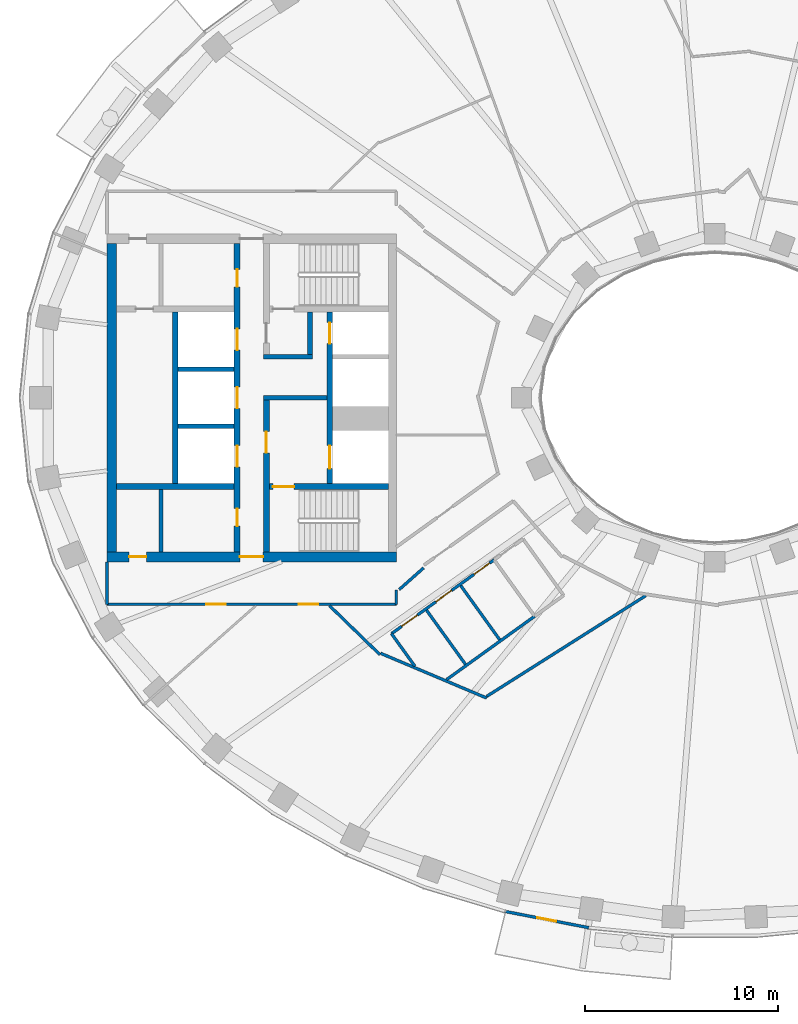
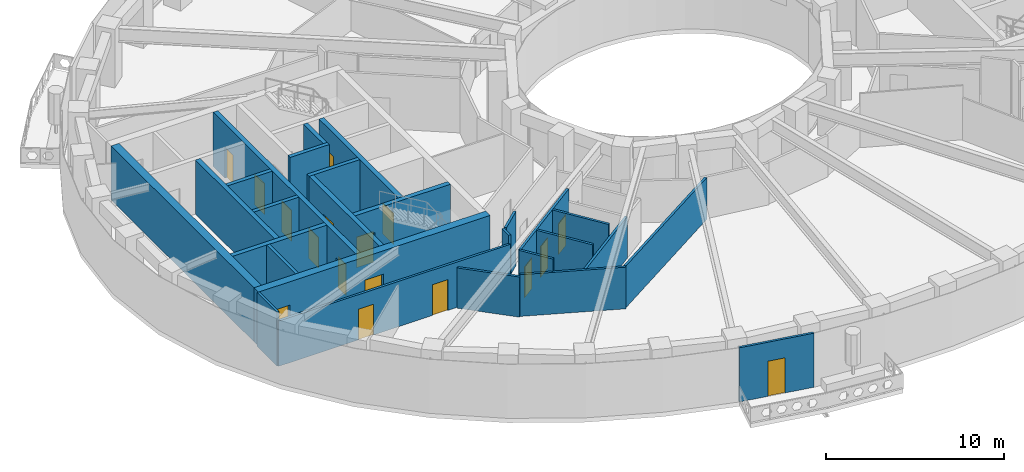
# One storey, part 3 of 16: 27 walls, 17 doors, 17 openings.
"""IFC4 building model written with IfcOpenShell, lengths in metres."""

import ifcopenshell
import ifcopenshell.guid

model = None  # the IFC model being written
_history = None  # IfcOwnerHistory: only IFC2X3 demands one
_inside = {}  # id of a spatial element -> (the spatial element, [elements in it])
_under = {}  # id of a project, library or spatial element -> (it, [spatial elements below it])
_declared = {}  # id of a project -> (the project, [libraries it declares])
_typed = {}  # id of a type object -> (the type object, [elements of that type])
_made_of = {}  # id of a material, layer set ... -> (it, [elements and type objects made of it])


def new_model(schema):
    """Start an empty IFC model of exactly this schema.

    Asked for "IFC4X3", IfcOpenShell would pick the latest addendum, in which some entities
    have other attributes; the version numbers below select the first issue.
    IFC2X3 requires an IfcOwnerHistory on every rooted entity: one is made here for all.
    """
    global model, _history
    if schema == "IFC4X3":
        model = ifcopenshell.file(schema_version=(4, 3, 0, 0))
    else:
        model = ifcopenshell.file(schema=schema)
    _inside.clear()
    _under.clear()
    _declared.clear()
    _typed.clear()
    _made_of.clear()
    _history = None
    if model.schema == "IFC2X3":
        org = make("IfcOrganization", Name="unknown")
        user = make(
            "IfcPersonAndOrganization",
            ThePerson=make("IfcPerson", FamilyName="unknown"),
            TheOrganization=org,
        )
        app = make(
            "IfcApplication",
            ApplicationDeveloper=org,
            Version="unknown",
            ApplicationFullName="unknown",
            ApplicationIdentifier="unknown",
        )
        _history = make(
            "IfcOwnerHistory",
            OwningUser=user,
            OwningApplication=app,
            ChangeAction="ADDED",
            CreationDate=0,
        )
    return model


def make(cls, **values):
    """One entity of the class cls with the attributes given. An attribute that is None is left unset."""
    return model.create_entity(
        cls, **{name: value for name, value in values.items() if value is not None}
    )


def rooted(cls, **values):
    """An entity with a GlobalId (a new one), such as an element, a storey or a relation."""
    return make(cls, GlobalId=ifcopenshell.guid.new(), OwnerHistory=_history, **values)


def si_unit(unit_type, name, prefix=None):
    """IfcSIUnit, for example si_unit("LENGTHUNIT", "METRE", prefix="MILLI")."""
    return make("IfcSIUnit", UnitType=unit_type, Prefix=prefix, Name=name)


def assignment(units):
    """IfcUnitAssignment: the units of a project."""
    return None if units is None else make("IfcUnitAssignment", Units=units)


def point(xyz):
    """IfcCartesianPoint."""
    return None if xyz is None else make("IfcCartesianPoint", Coordinates=xyz)


def direction(xyz):
    """IfcDirection."""
    return None if xyz is None else make("IfcDirection", DirectionRatios=xyz)


def frame(location, z_axis=None, x_axis=None):
    """IfcAxis2Placement3D, a coordinate frame: its origin and axes. An axis left out is left unset."""
    return make(
        "IfcAxis2Placement3D",
        Location=point(location),
        Axis=direction(z_axis),
        RefDirection=direction(x_axis),
    )


def frame_2d(location, x_axis=None):
    """IfcAxis2Placement2D, a coordinate frame in the plane: its origin and x axis."""
    return make(
        "IfcAxis2Placement2D", Location=point(location), RefDirection=direction(x_axis)
    )


def origin():
    """The frame at (0, 0, 0) with its axes left unset."""
    return frame((0.0, 0.0, 0.0))


def place(relative_to, where):
    """IfcLocalPlacement: puts the frame where relative to a parent placement (None: the world)."""
    return make(
        "IfcLocalPlacement", PlacementRelTo=relative_to, RelativePlacement=where
    )


def context(
    kind, dimensions, precision=None, world=None, true_north=None, identifier=None
):
    """IfcGeometricRepresentationContext, for example the 3D "Model" context."""
    return make(
        "IfcGeometricRepresentationContext",
        ContextIdentifier=identifier,
        ContextType=kind,
        CoordinateSpaceDimension=dimensions,
        Precision=precision,
        WorldCoordinateSystem=world,
        TrueNorth=true_north,
    )


def subcontext(parent, identifier, kind, view, scale=None):
    """IfcGeometricRepresentationSubContext, for example "Body" below "Model"."""
    return make(
        "IfcGeometricRepresentationSubContext",
        ContextIdentifier=identifier,
        ContextType=kind,
        ParentContext=parent,
        TargetScale=scale,
        TargetView=view,
    )


def project(units=None, contexts=None):
    """IfcProject with its units and contexts."""
    return rooted(
        "IfcProject",
        Name="project",
        RepresentationContexts=contexts,
        UnitsInContext=assignment(units),
    )


def spatial(cls, under=None, at=None, **own):
    """A site, building, storey or space (cls), placed at a placement, below another one or the project."""
    s = rooted(cls, ObjectPlacement=at, **own)
    if under is not None:
        _under.setdefault(under.id(), (under, []))[1].append(s)
    return s


def profile(cls, at=None, kind="AREA", **sizes):
    """A parametric profile (cls). Its sizes go by their IFC names, for example OverallWidth=200.0."""
    return make(cls, ProfileType=kind, Position=at, **sizes)


def rectangle(**sizes):
    """IfcRectangleProfileDef."""
    return profile("IfcRectangleProfileDef", **sizes)


def extrude(swept, where, along, depth):
    """IfcExtrudedAreaSolid: the profile swept, set in the frame where, extruded along a direction by depth."""
    return make(
        "IfcExtrudedAreaSolid",
        SweptArea=swept,
        Position=where,
        ExtrudedDirection=direction(along),
        Depth=depth,
    )


def shape(context_of_items, identifier, shape_type, items):
    """IfcShapeRepresentation: the items that make up one representation, for example the "Body"."""
    return make(
        "IfcShapeRepresentation",
        ContextOfItems=context_of_items,
        RepresentationIdentifier=identifier,
        RepresentationType=shape_type,
        Items=items,
    )


def material(Name=None, Category=None):
    """IfcMaterial."""
    return make("IfcMaterial", Name=Name, Category=Category)


def layer(
    of_material, thickness, ventilated=None, Name=None, Category=None, Priority=None
):
    """IfcMaterialLayer: one layer of a wall or slab, of a material (None: an air gap)."""
    return make(
        "IfcMaterialLayer",
        Material=of_material,
        LayerThickness=thickness,
        IsVentilated=ventilated,
        Name=Name,
        Category=Category,
        Priority=Priority,
    )


def layer_set(layers, Name=None):
    """IfcMaterialLayerSet."""
    return make("IfcMaterialLayerSet", MaterialLayers=layers, LayerSetName=Name)


def made_of(thing, what):
    """Note that an element or type object is made of a material, layer set ...; save() writes the relation."""
    if what is not None:
        _made_of.setdefault(what.id(), (what, []))[1].append(thing)
    return thing


def type_object(cls, material=None, **own):
    """A type object (cls), such as IfcWallType, which elements share."""
    return made_of(rooted(cls, **own), material)


def element(
    cls,
    number,
    at=None,
    inside=None,
    cuts=None,
    type_object=None,
    material=None,
    context=None,
    identifier="Body",
    shape_type=None,
    held_by="IfcProductDefinitionShape",
    body=None,
    shapes=None,
    **own,
):
    """One element of the class cls, such as IfcWall. Its Tag is "e" and its number.

    at: its placement. inside: the storey or other place that contains it. cuts: it is an
    opening in that element (IfcRelVoidsElement). A single representation is given by context,
    identifier, shape_type and body (its items); several are given by shapes. held_by: the class
    of the entity that holds the representations. save() writes the other relations.
    """
    e = rooted(cls, Tag="e%d" % number, ObjectPlacement=at, **own)
    if body is not None:
        shapes = [shape(context, identifier, shape_type, body)]
    if shapes is not None:
        e.Representation = make(held_by, Representations=shapes)
    if inside is not None:
        _inside.setdefault(inside.id(), (inside, []))[1].append(e)
    if cuts is not None:
        rooted(
            "IfcRelVoidsElement", RelatingBuildingElement=cuts, RelatedOpeningElement=e
        )
    if type_object is not None:
        _typed.setdefault(type_object.id(), (type_object, []))[1].append(e)
    return made_of(e, material)


def fill(opening, filler):
    """IfcRelFillsElement: the door or window that sits in an opening."""
    return rooted(
        "IfcRelFillsElement",
        RelatingOpeningElement=opening,
        RelatedBuildingElement=filler,
    )


def aggregate(whole, parts):
    """IfcRelAggregates: a whole, such as a stair, and the parts it consists of."""
    return rooted("IfcRelAggregates", RelatingObject=whole, RelatedObjects=parts)


def save(model, path):
    """Write the relations noted so far, then the file.

    IfcRelAggregates (storeys below a building ...), IfcRelContainedInSpatialStructure (elements
    in a storey), IfcRelDefinesByType, IfcRelAssociatesMaterial and IfcRelDeclares: one each for
    every whole, place, type object, material and project.
    """
    for whole, parts in _under.values():
        aggregate(whole, parts)
    for where, things in _inside.values():
        rooted(
            "IfcRelContainedInSpatialStructure",
            RelatedElements=things,
            RelatingStructure=where,
        )
    for kind, things in _typed.values():
        rooted("IfcRelDefinesByType", RelatedObjects=things, RelatingType=kind)
    for what, things in _made_of.values():
        rooted("IfcRelAssociatesMaterial", RelatedObjects=things, RelatingMaterial=what)
    for by, libraries in _declared.values():
        rooted("IfcRelDeclares", RelatingContext=by, RelatedDefinitions=libraries)
    model.write(path)


model = new_model("IFC4")

# Units and contexts
model_context = context("Model", 3, precision=1e-05, world=origin(), true_north=direction((0.0, 1.0)))
body_context = subcontext(model_context, "Body", "Model", "MODEL_VIEW")
ifc_project = project(units=[si_unit("LENGTHUNIT", "METRE"), si_unit("AREAUNIT", "SQUARE_METRE"), si_unit("VOLUMEUNIT", "CUBIC_METRE"), si_unit("PLANEANGLEUNIT", "RADIAN"), si_unit("MASSUNIT", "GRAM", prefix="KILO")], contexts=[model_context])

# Site, building, storey
site_placement = place(None, origin())
site = spatial("IfcSite", under=ifc_project, at=site_placement, CompositionType="ELEMENT")
building_placement = place(site_placement, origin())
building = spatial("IfcBuilding", under=site, at=building_placement, Name="Noorbagh Ring Tower", CompositionType="ELEMENT")
storey_placement = place(building_placement, frame((0.0, 0.0, 178.0)))
storey = spatial("IfcBuildingStorey", under=building, at=storey_placement, Name="L41", CompositionType="ELEMENT", Elevation=178.0)

# Walls
ifc_material_1 = material(Name="Gypsum board on steel studs", Category="steel")
ifc_layer_1 = layer(ifc_material_1, 0.199951171875)
ifc_layer_set_1 = layer_set([ifc_layer_1], Name="Gypsum board on steel studs")
wall_type_1 = type_object("IfcWallType", Name="CORE-PARTITION-200", PredefinedType="PARTITIONING", material=ifc_layer_set_1)
wall_1_placement = place(storey_placement, frame((-28.699951171875, -8.0, 0.0), z_axis=(0.0, 0.0, 1.0), x_axis=(0.0, 1.0, 0.0)))
element("IfcWall", 1, at=wall_1_placement, inside=storey, type_object=wall_type_1, Name="Core partition W", PredefinedType="PARTITIONING", context=body_context, shape_type="SweptSolid", body=[
    extrude(rectangle(XDim=3.25, YDim=0.199951171875, at=frame_2d((1.625, 0.0))), origin(), (0.0, 0.0, 1.0), 3.699951171875),
])
ifc_material_2 = material(Name="Concrete C60/75", Category="concrete")
ifc_layer_2 = layer(ifc_material_2, 0.25)
ifc_layer_set_2 = layer_set([ifc_layer_2], Name="Concrete C60/75")
wall_type_2 = type_object("IfcWallType", Name="CORE-WALL-250-C60-75-EI120", PredefinedType="SHEAR", material=ifc_layer_set_2)
for number, where, z_axis, x_axis, name in (
    (2, (-24.89990234375, -1.47509765625, 0.0), (0.0, 0.0, 1.0), (-1.0, 0.0, 0.0), "Core wall W"),
    (3, (-24.89990234375, 1.47509765625, 0.0), (0.0, 0.0, 1.0), (-1.0, 0.0, 0.0), "Core wall W"),
):
    element("IfcWall", number, at=place(storey_placement, frame(where, z_axis=z_axis, x_axis=x_axis)), inside=storey, type_object=wall_type_2, Name=name, PredefinedType="SHEAR", context=body_context, shape_type="SweptSolid", body=[
        extrude(rectangle(XDim=2.900146484375, YDim=0.25, at=frame_2d((1.4501953125, 0.0))), origin(), (0.0, 0.0, 1.0), 3.699951171875),
    ])
ifc_material_3 = material(Name="Concrete C60/75", Category="concrete")
ifc_layer_3 = layer(ifc_material_3, 0.25)
ifc_layer_set_3 = layer_set([ifc_layer_3], Name="Concrete C60/75")
wall_type_3 = type_object("IfcWallType", Name="CORE-WALL-250-C60-75-EI240", PredefinedType="SHEAR", material=ifc_layer_set_3)
wall_2_placement = place(storey_placement, frame((-20.10009765625, 0.0, 0.0), z_axis=(0.0, 0.0, 1.0), x_axis=(-1.0, 0.0, 0.0)))
element("IfcWall", 4, at=wall_2_placement, inside=storey, type_object=wall_type_3, Name="Core wall W", PredefinedType="SHEAR", context=body_context, shape_type="SweptSolid", body=[
    extrude(rectangle(XDim=3.27978515625, YDim=0.25, at=frame_2d((1.639892578125, 0.0))), origin(), (0.0, 0.0, 1.0), 3.699951171875),
])
wall_3_placement = place(storey_placement, frame((-20.85009765625, 2.125, 0.0), z_axis=(0.0, 0.0, 1.0), x_axis=(-1.0, 0.0, 0.0)))
element("IfcWall", 5, at=wall_3_placement, inside=storey, type_object=wall_type_3, Name="Core wall W", PredefinedType="SHEAR", context=body_context, shape_type="SweptSolid", body=[
    extrude(rectangle(XDim=2.52978515625, YDim=0.25, at=frame_2d((1.264892578125, 0.0))), origin(), (0.0, 0.0, 1.0), 3.699951171875),
])
wall_4_placement = place(storey_placement, frame((-20.97509765625, 2.25, 0.0), z_axis=(0.0, 0.0, 1.0), x_axis=(0.0, 1.0, 0.0)))
element("IfcWall", 6, at=wall_4_placement, inside=storey, type_object=wall_type_3, Name="Core wall W", PredefinedType="SHEAR", context=body_context, shape_type="SweptSolid", body=[
    extrude(rectangle(XDim=2.199951171875, YDim=0.25, at=frame_2d((1.10009765625, 0.0))), origin(), (0.0, 0.0, 1.0), 3.699951171875),
])
ifc_material_4 = material(Name="Concrete C60/75", Category="concrete")
ifc_layer_4 = layer(ifc_material_4, 0.300048828125)
ifc_layer_set_4 = layer_set([ifc_layer_4], Name="Concrete C60/75")
wall_type_4 = type_object("IfcWallType", Name="CORE-WALL-300-C60-75-EI120", PredefinedType="SHEAR", material=ifc_layer_set_4)
wall_5_placement = place(storey_placement, frame((-27.949951171875, -4.449951171875, 0.0), z_axis=(0.0, 0.0, 1.0), x_axis=(0.0, 1.0, 0.0)))
element("IfcWall", 7, at=wall_5_placement, inside=storey, type_object=wall_type_4, Name="Core wall W", PredefinedType="SHEAR", context=body_context, shape_type="SweptSolid", body=[
    extrude(rectangle(XDim=8.89990234375, YDim=0.300048828125, at=frame_2d((4.449951171875, 0.0))), origin(), (0.0, 0.0, 1.0), 3.699951171875),
])

# Wall, openings, doors
wall_6_placement = place(storey_placement, frame((-19.949951171875, -4.449951171875, 0.0), z_axis=(0.0, 0.0, 1.0), x_axis=(0.0, 1.0, 0.0)))
wall_6 = element("IfcWall", 8, at=wall_6_placement, inside=storey, type_object=wall_type_4, Name="Core wall W", PredefinedType="SHEAR", context=body_context, shape_type="SweptSolid", body=[
    extrude(rectangle(XDim=8.89990234375, YDim=0.300048828125, at=frame_2d((4.449951171875, 0.0))), origin(), (0.0, 0.0, 1.0), 3.699951171875),
])
opening_1_placement = place(wall_6_placement, frame((0.77490234375, 0.0, 0.0)))
opening_1 = element("IfcOpeningElement", 9, at=opening_1_placement, cuts=wall_6, Name="Opening L41-CW01", PredefinedType="OPENING", context=body_context, shape_type="SweptSolid", body=[
    extrude(rectangle(XDim=1.199951171875, YDim=2.10009765625, at=frame_2d((0.60009765625, 1.050048828125))), frame((0.0, 0.16015625, 0.0), z_axis=(0.0, -1.0, 0.0), x_axis=(1.0, 0.0, 0.0)), (0.0, 0.0, 1.0), 0.320068359375),
])
opening_2_placement = place(wall_6_placement, frame((7.25, 0.0, 0.0)))
opening_2 = element("IfcOpeningElement", 10, at=opening_2_placement, cuts=wall_6, Name="Opening L41-CW02", PredefinedType="OPENING", context=body_context, shape_type="SweptSolid", body=[
    extrude(rectangle(XDim=1.10009765625, YDim=2.10009765625, at=frame_2d((0.550048828125, 1.050048828125))), frame((0.0, 0.16015625, 0.0), z_axis=(0.0, -1.0, 0.0), x_axis=(1.0, 0.0, 0.0)), (0.0, 0.0, 1.0), 0.320068359375),
])
ifc_material_5 = material(Name="Steel door leaf", Category="steel")
door_type_1 = type_object("IfcDoorType", Name="CORE-DOOR-LD", OperationType="DOUBLE_DOOR_SLIDING", PredefinedType="DOOR", material=ifc_material_5)
door_1_placement = place(opening_2_placement, origin())
door_1 = element("IfcDoor", 11, at=door_1_placement, inside=storey, type_object=door_type_1, Name="Landing door HR1 L41-CW02", OperationType="DOUBLE_DOOR_SLIDING", OverallHeight=2.10009765625, OverallWidth=1.10009765625, PredefinedType="DOOR", context=body_context, shape_type="SweptSolid", body=[
    extrude(rectangle(XDim=1.10009765625, YDim=2.10009765625, at=frame_2d((0.550048828125, 1.050048828125))), frame((0.0, 0.02490234375, 0.0), z_axis=(0.0, -1.0, 0.0), x_axis=(1.0, 0.0, 0.0)), (0.0, 0.0, 1.0), 0.050048828125),
])
fill(opening_2, door_1)
ifc_material_6 = material(Name="Steel door leaf", Category="steel")
door_type_2 = type_object("IfcDoorType", Name="CORE-DOOR-LDW", OperationType="DOUBLE_DOOR_SLIDING", PredefinedType="DOOR", material=ifc_material_6)
door_2_placement = place(opening_1_placement, origin())
door_2 = element("IfcDoor", 12, at=door_2_placement, inside=storey, type_object=door_type_2, Name="Landing door FF1 L41-CW01", OperationType="DOUBLE_DOOR_SLIDING", OverallHeight=2.10009765625, OverallWidth=1.199951171875, PredefinedType="DOOR", context=body_context, shape_type="SweptSolid", body=[
    extrude(rectangle(XDim=1.199951171875, YDim=2.10009765625, at=frame_2d((0.60009765625, 1.050048828125))), frame((0.0, 0.02490234375, 0.0), z_axis=(0.0, -1.0, 0.0), x_axis=(1.0, 0.0, 0.0)), (0.0, 0.0, 1.0), 0.050048828125),
])
fill(opening_1, door_2)

wall_7_placement = place(storey_placement, frame((-24.75, -8.0, 0.0), z_axis=(0.0, 0.0, 1.0), x_axis=(0.0, 1.0, 0.0)))
wall_7 = element("IfcWall", 13, at=wall_7_placement, inside=storey, type_object=wall_type_4, Name="Core wall W", PredefinedType="SHEAR", context=body_context, shape_type="SweptSolid", body=[
    extrude(rectangle(XDim=16.0, YDim=0.300048828125, at=frame_2d((8.0, 0.0))), origin(), (0.0, 0.0, 1.0), 3.699951171875),
])
opening_3_placement = place(wall_7_placement, frame((4.425048828125, 0.0, 0.0)))
opening_3 = element("IfcOpeningElement", 14, at=opening_3_placement, cuts=wall_7, Name="Opening L41-CW03", PredefinedType="OPENING", context=body_context, shape_type="SweptSolid", body=[
    extrude(rectangle(XDim=1.10009765625, YDim=2.10009765625, at=frame_2d((0.550048828125, 1.050048828125))), frame((0.0, 0.16015625, 0.0), z_axis=(0.0, -1.0, 0.0), x_axis=(1.0, 0.0, 0.0)), (0.0, 0.0, 1.0), 0.320068359375),
])
opening_4_placement = place(wall_7_placement, frame((7.449951171875, 0.0, 0.0)))
opening_4 = element("IfcOpeningElement", 15, at=opening_4_placement, cuts=wall_7, Name="Opening L41-CW04", PredefinedType="OPENING", context=body_context, shape_type="SweptSolid", body=[
    extrude(rectangle(XDim=1.10009765625, YDim=2.10009765625, at=frame_2d((0.550048828125, 1.050048828125))), frame((0.0, 0.16015625, 0.0), z_axis=(0.0, -1.0, 0.0), x_axis=(1.0, 0.0, 0.0)), (0.0, 0.0, 1.0), 0.320068359375),
])
opening_5_placement = place(wall_7_placement, frame((10.47509765625, 0.0, 0.0)))
opening_5 = element("IfcOpeningElement", 16, at=opening_5_placement, cuts=wall_7, Name="Opening L41-CW05", PredefinedType="OPENING", context=body_context, shape_type="SweptSolid", body=[
    extrude(rectangle(XDim=1.10009765625, YDim=2.10009765625, at=frame_2d((0.550048828125, 1.050048828125))), frame((0.0, 0.16015625, 0.0), z_axis=(0.0, -1.0, 0.0), x_axis=(1.0, 0.0, 0.0)), (0.0, 0.0, 1.0), 0.320068359375),
])
opening_6_placement = place(wall_7_placement, frame((13.75, 0.0, 0.0)))
opening_6 = element("IfcOpeningElement", 17, at=opening_6_placement, cuts=wall_7, Name="Opening L41-CW12", PredefinedType="OPENING", context=body_context, shape_type="SweptSolid", body=[
    extrude(rectangle(XDim=0.89990234375, YDim=2.10009765625, at=frame_2d((0.449951171875, 1.050048828125))), frame((0.0, 0.16015625, 0.0), z_axis=(0.0, -1.0, 0.0), x_axis=(1.0, 0.0, 0.0)), (0.0, 0.0, 1.0), 0.320068359375),
])
opening_7_placement = place(wall_7_placement, frame((1.35009765625, 0.0, 0.0)))
opening_7 = element("IfcOpeningElement", 18, at=opening_7_placement, cuts=wall_7, Name="Opening L41-CW14", PredefinedType="OPENING", context=body_context, shape_type="SweptSolid", body=[
    extrude(rectangle(XDim=0.89990234375, YDim=2.10009765625, at=frame_2d((0.449951171875, 1.050048828125))), frame((0.0, 0.16015625, 0.0), z_axis=(0.0, -1.0, 0.0), x_axis=(1.0, 0.0, 0.0)), (0.0, 0.0, 1.0), 0.320068359375),
])
ifc_material_7 = material(Name="Steel door leaf", Category="steel")
door_type_3 = type_object("IfcDoorType", Name="CORE-DOOR-DROOM", OperationType="SINGLE_SWING_LEFT", PredefinedType="DOOR", material=ifc_material_7)
door_3_placement = place(opening_6_placement, origin())
door_3 = element("IfcDoor", 19, at=door_3_placement, inside=storey, type_object=door_type_3, Name="Core room door L41-CW12", OperationType="SINGLE_SWING_RIGHT", OverallHeight=2.10009765625, OverallWidth=0.89990234375, PredefinedType="DOOR", context=body_context, shape_type="SweptSolid", body=[
    extrude(rectangle(XDim=0.89990234375, YDim=2.10009765625, at=frame_2d((0.449951171875, 1.050048828125))), frame((0.0, 0.02490234375, 0.0), z_axis=(0.0, -1.0, 0.0), x_axis=(1.0, 0.0, 0.0)), (0.0, 0.0, 1.0), 0.050048828125),
])
fill(opening_6, door_3)
door_4_placement = place(opening_7_placement, origin())
door_4 = element("IfcDoor", 20, at=door_4_placement, inside=storey, type_object=door_type_3, Name="Core room door L41-CW14", OperationType="SINGLE_SWING_LEFT", OverallHeight=2.10009765625, OverallWidth=0.89990234375, PredefinedType="DOOR", context=body_context, shape_type="SweptSolid", body=[
    extrude(rectangle(XDim=0.89990234375, YDim=2.10009765625, at=frame_2d((0.449951171875, 1.050048828125))), frame((0.0, 0.02490234375, 0.0), z_axis=(0.0, -1.0, 0.0), x_axis=(1.0, 0.0, 0.0)), (0.0, 0.0, 1.0), 0.050048828125),
])
fill(opening_7, door_4)
door_5_placement = place(opening_3_placement, origin())
door_5 = element("IfcDoor", 21, at=door_5_placement, inside=storey, type_object=door_type_1, Name="Landing door HR2 L41-CW03", OperationType="DOUBLE_DOOR_SLIDING", OverallHeight=2.10009765625, OverallWidth=1.10009765625, PredefinedType="DOOR", context=body_context, shape_type="SweptSolid", body=[
    extrude(rectangle(XDim=1.10009765625, YDim=2.10009765625, at=frame_2d((0.550048828125, 1.050048828125))), frame((0.0, 0.02490234375, 0.0), z_axis=(0.0, -1.0, 0.0), x_axis=(1.0, 0.0, 0.0)), (0.0, 0.0, 1.0), 0.050048828125),
])
fill(opening_3, door_5)
door_6_placement = place(opening_4_placement, origin())
door_6 = element("IfcDoor", 22, at=door_6_placement, inside=storey, type_object=door_type_1, Name="Landing door HR3 L41-CW04", OperationType="DOUBLE_DOOR_SLIDING", OverallHeight=2.10009765625, OverallWidth=1.10009765625, PredefinedType="DOOR", context=body_context, shape_type="SweptSolid", body=[
    extrude(rectangle(XDim=1.10009765625, YDim=2.10009765625, at=frame_2d((0.550048828125, 1.050048828125))), frame((0.0, 0.02490234375, 0.0), z_axis=(0.0, -1.0, 0.0), x_axis=(1.0, 0.0, 0.0)), (0.0, 0.0, 1.0), 0.050048828125),
])
fill(opening_4, door_6)
door_7_placement = place(opening_5_placement, origin())
door_7 = element("IfcDoor", 23, at=door_7_placement, inside=storey, type_object=door_type_1, Name="Landing door HR4 L41-CW05", OperationType="DOUBLE_DOOR_SLIDING", OverallHeight=2.10009765625, OverallWidth=1.10009765625, PredefinedType="DOOR", context=body_context, shape_type="SweptSolid", body=[
    extrude(rectangle(XDim=1.10009765625, YDim=2.10009765625, at=frame_2d((0.550048828125, 1.050048828125))), frame((0.0, 0.02490234375, 0.0), z_axis=(0.0, -1.0, 0.0), x_axis=(1.0, 0.0, 0.0)), (0.0, 0.0, 1.0), 0.050048828125),
])
fill(opening_5, door_7)

# Wall
ifc_material_8 = material(Name="Concrete C60/75", Category="concrete")
ifc_layer_5 = layer(ifc_material_8, 0.300048828125)
ifc_layer_set_5 = layer_set([ifc_layer_5], Name="Concrete C60/75")
wall_type_5 = type_object("IfcWallType", Name="CORE-WALL-300-C60-75-EI240", PredefinedType="SHEAR", material=ifc_layer_set_5)
wall_8_placement = place(storey_placement, frame((-24.89990234375, -4.60009765625, 0.0), z_axis=(0.0, 0.0, 1.0), x_axis=(-1.0, 0.0, 0.0)))
element("IfcWall", 24, at=wall_8_placement, inside=storey, type_object=wall_type_5, Name="Core wall W", PredefinedType="SHEAR", context=body_context, shape_type="SweptSolid", body=[
    extrude(rectangle(XDim=6.10009765625, YDim=0.300048828125, at=frame_2d((3.050048828125, 0.0))), origin(), (0.0, 0.0, 1.0), 3.699951171875),
])

# Wall, opening, door
wall_9_placement = place(storey_placement, frame((-23.22998046875, -8.0, 0.0), z_axis=(0.0, 0.0, 1.0), x_axis=(0.0, 1.0, 0.0)))
wall_9 = element("IfcWall", 25, at=wall_9_placement, inside=storey, type_object=wall_type_5, Name="Core wall W", PredefinedType="SHEAR", context=body_context, shape_type="SweptSolid", body=[
    extrude(rectangle(XDim=7.875, YDim=0.300048828125, at=frame_2d((3.9375, 0.0))), origin(), (0.0, 0.0, 1.0), 3.699951171875),
])
opening_8_placement = place(wall_9_placement, frame((5.14990234375, 0.0, 0.0)))
opening_8 = element("IfcOpeningElement", 26, at=opening_8_placement, cuts=wall_9, Name="Opening L41-CW08", PredefinedType="OPENING", context=body_context, shape_type="SweptSolid", body=[
    extrude(rectangle(XDim=1.10009765625, YDim=2.10009765625, at=frame_2d((0.550048828125, 1.050048828125))), frame((0.0, 0.16015625, 0.0), z_axis=(0.0, -1.0, 0.0), x_axis=(1.0, 0.0, 0.0)), (0.0, 0.0, 1.0), 0.320068359375),
])
ifc_material_9 = material(Name="Steel door leaf", Category="steel")
door_type_4 = type_object("IfcDoorType", Name="CORE-DOOR-DFF", OperationType="SINGLE_SWING_LEFT", PredefinedType="DOOR", material=ifc_material_9)
door_8_placement = place(opening_8_placement, origin())
door_8 = element("IfcDoor", 27, at=door_8_placement, inside=storey, type_object=door_type_4, Name="Firefighting lobby door L41-CW08", OperationType="SINGLE_SWING_LEFT", OverallHeight=2.10009765625, OverallWidth=1.10009765625, PredefinedType="DOOR", context=body_context, shape_type="SweptSolid", body=[
    extrude(rectangle(XDim=1.10009765625, YDim=2.10009765625, at=frame_2d((0.550048828125, 1.050048828125))), frame((0.0, 0.02490234375, 0.0), z_axis=(0.0, -1.0, 0.0), x_axis=(1.0, 0.0, 0.0)), (0.0, 0.0, 1.0), 0.050048828125),
])
fill(opening_8, door_8)

wall_10_placement = place(storey_placement, frame((-16.89990234375, -4.60009765625, 0.0), z_axis=(0.0, 0.0, 1.0), x_axis=(-1.0, 0.0, 0.0)))
wall_10 = element("IfcWall", 28, at=wall_10_placement, inside=storey, type_object=wall_type_5, Name="Core wall W", PredefinedType="SHEAR", context=body_context, shape_type="SweptSolid", body=[
    extrude(rectangle(XDim=6.18017578125, YDim=0.300048828125, at=frame_2d((3.090087890625, 0.0))), origin(), (0.0, 0.0, 1.0), 3.699951171875),
])
opening_9_placement = place(wall_10_placement, frame((4.89990234375, 0.0, 0.0)))
opening_9 = element("IfcOpeningElement", 29, at=opening_9_placement, cuts=wall_10, Name="Opening L41-CW07", PredefinedType="OPENING", context=body_context, shape_type="SweptSolid", body=[
    extrude(rectangle(XDim=1.10009765625, YDim=2.10009765625, at=frame_2d((0.550048828125, 1.050048828125))), frame((0.0, 0.16015625, 0.0), z_axis=(0.0, -1.0, 0.0), x_axis=(1.0, 0.0, 0.0)), (0.0, 0.0, 1.0), 0.320068359375),
])
ifc_material_10 = material(Name="Steel door leaf", Category="steel")
door_type_5 = type_object("IfcDoorType", Name="CORE-DOOR-DSTAIR", OperationType="SINGLE_SWING_LEFT", PredefinedType="DOOR", material=ifc_material_10)
door_9_placement = place(opening_9_placement, origin())
door_9 = element("IfcDoor", 30, at=door_9_placement, inside=storey, type_object=door_type_5, Name="Stair door ST2 L41-CW07", OperationType="SINGLE_SWING_LEFT", OverallHeight=2.10009765625, OverallWidth=1.10009765625, PredefinedType="DOOR", context=body_context, shape_type="SweptSolid", body=[
    extrude(rectangle(XDim=1.10009765625, YDim=2.10009765625, at=frame_2d((0.550048828125, 1.050048828125))), frame((0.0, 0.02490234375, 0.0), z_axis=(0.0, -1.0, 0.0), x_axis=(1.0, 0.0, 0.0)), (0.0, 0.0, 1.0), 0.050048828125),
])
fill(opening_9, door_9)

# Wall, openings, doors
ifc_material_11 = material(Name="Concrete C60/75", Category="concrete")
ifc_layer_6 = layer(ifc_material_11, 0.5)
ifc_layer_set_6 = layer_set([ifc_layer_6], Name="Concrete C60/75")
wall_type_6 = type_object("IfcWallType", Name="CORE-WALL-500-C60-75-EI240", PredefinedType="SHEAR", material=ifc_layer_set_6)
wall_11_placement = place(storey_placement, frame((-16.5, -8.25, 0.0), z_axis=(0.0, 0.0, 1.0), x_axis=(-1.0, 0.0, 0.0)))
wall_11 = element("IfcWall", 31, at=wall_11_placement, inside=storey, type_object=wall_type_6, Name="Core wall W", PredefinedType="SHEAR", context=body_context, shape_type="SweptSolid", body=[
    extrude(rectangle(XDim=15.0, YDim=0.5, at=frame_2d((7.5, 0.0))), origin(), (0.0, 0.0, 1.0), 3.699951171875),
])
opening_10_placement = place(wall_11_placement, frame((6.89990234375, 0.0, 0.0)))
opening_10 = element("IfcOpeningElement", 32, at=opening_10_placement, cuts=wall_11, Name="Opening L41-CW11", PredefinedType="OPENING", context=body_context, shape_type="SweptSolid", body=[
    extrude(rectangle(XDim=1.199951171875, YDim=2.10009765625, at=frame_2d((0.60009765625, 1.050048828125))), frame((0.0, 0.260009765625, 0.0), z_axis=(0.0, -1.0, 0.0), x_axis=(1.0, 0.0, 0.0)), (0.0, 0.0, 1.0), 0.52001953125),
])
opening_11_placement = place(wall_11_placement, frame((12.949951171875, 0.0, 0.0)))
opening_11 = element("IfcOpeningElement", 33, at=opening_11_placement, cuts=wall_11, Name="Opening L41-CW15", PredefinedType="OPENING", context=body_context, shape_type="SweptSolid", body=[
    extrude(rectangle(XDim=0.89990234375, YDim=2.10009765625, at=frame_2d((0.449951171875, 1.050048828125))), frame((0.0, 0.260009765625, 0.0), z_axis=(0.0, -1.0, 0.0), x_axis=(1.0, 0.0, 0.0)), (0.0, 0.0, 1.0), 0.52001953125),
])
door_10_placement = place(opening_11_placement, origin())
door_10 = element("IfcDoor", 34, at=door_10_placement, inside=storey, type_object=door_type_3, Name="Core room door L41-CW15", OperationType="SINGLE_SWING_LEFT", OverallHeight=2.10009765625, OverallWidth=0.89990234375, PredefinedType="DOOR", context=body_context, shape_type="SweptSolid", body=[
    extrude(rectangle(XDim=0.89990234375, YDim=2.10009765625, at=frame_2d((0.449951171875, 1.050048828125))), frame((0.0, 0.02490234375, 0.0), z_axis=(0.0, -1.0, 0.0), x_axis=(1.0, 0.0, 0.0)), (0.0, 0.0, 1.0), 0.050048828125),
])
fill(opening_11, door_10)
ifc_material_12 = material(Name="Steel door leaf", Category="steel")
door_type_6 = type_object("IfcDoorType", Name="CORE-DOOR-PORT", OperationType="DOUBLE_DOOR_DOUBLE_SWING", PredefinedType="DOOR", material=ifc_material_12)
door_11_placement = place(opening_10_placement, origin())
door_11 = element("IfcDoor", 35, at=door_11_placement, inside=storey, type_object=door_type_6, Name="Core entrance door L41-CW11", OperationType="DOUBLE_DOOR_DOUBLE_SWING", OverallHeight=2.10009765625, OverallWidth=1.199951171875, PredefinedType="DOOR", context=body_context, shape_type="SweptSolid", body=[
    extrude(rectangle(XDim=1.199951171875, YDim=2.10009765625, at=frame_2d((0.60009765625, 1.050048828125))), frame((0.0, 0.02490234375, 0.0), z_axis=(0.0, -1.0, 0.0), x_axis=(1.0, 0.0, 0.0)), (0.0, 0.0, 1.0), 0.050048828125),
])
fill(opening_10, door_11)

# Walls
wall_12_placement = place(storey_placement, frame((-31.25, -8.0, 0.0), z_axis=(0.0, 0.0, 1.0), x_axis=(0.0, 1.0, 0.0)))
element("IfcWall", 36, at=wall_12_placement, inside=storey, type_object=wall_type_6, Name="Core wall W", PredefinedType="SHEAR", context=body_context, shape_type="SweptSolid", body=[
    extrude(rectangle(XDim=16.0, YDim=0.5, at=frame_2d((8.0, 0.0))), origin(), (0.0, 0.0, 1.0), 3.699951171875),
])
ifc_material_13 = material(Name="Gypsum board on steel studs", Category="steel")
ifc_layer_7 = layer(ifc_material_13, 0.14990234375)
ifc_layer_set_7 = layer_set([ifc_layer_7], Name="Gypsum board on steel studs")
wall_type_7 = type_object("IfcWallType", Name="CORRIDOR PARTITION 150 EI 30", PredefinedType="PARTITIONING", material=ifc_layer_set_7)
wall_13_placement = place(storey_placement, frame((-31.5, -10.699951171875, 0.0), z_axis=(0.0, 0.0, 1.0), x_axis=(0.0, 1.0, 0.0)))
element("IfcWall", 37, at=wall_13_placement, inside=storey, type_object=wall_type_7, Name="L41/wall/P02", PredefinedType="PARTITIONING", context=body_context, shape_type="SweptSolid", body=[
    extrude(rectangle(XDim=2.199951171875, YDim=0.14990234375, at=frame_2d((1.10009765625, 0.0))), origin(), (0.0, 0.0, 1.0), 3.699951171875),
])

# Wall, openings, doors
wall_14_placement = place(storey_placement, frame((-31.5, -10.699951171875, 0.0), z_axis=(0.0, 0.0, 1.0), x_axis=(1.0, 0.0, 0.0)))
wall_14 = element("IfcWall", 38, at=wall_14_placement, inside=storey, type_object=wall_type_7, Name="L41/wall/P03", PredefinedType="PARTITIONING", context=body_context, shape_type="SweptSolid", body=[
    extrude(rectangle(XDim=15.0, YDim=0.14990234375, at=frame_2d((7.5, 0.0))), origin(), (0.0, 0.0, 1.0), 3.10009765625),
])
opening_12_placement = place(wall_14_placement, frame((5.14990234375, 0.0, 0.0)))
opening_12 = element("IfcOpeningElement", 39, at=opening_12_placement, cuts=wall_14, Name="Opening D1", PredefinedType="OPENING", context=body_context, shape_type="SweptSolid", body=[
    extrude(rectangle(XDim=1.0, YDim=2.10009765625, at=frame_2d((0.5, 1.050048828125))), frame((0.0, 0.0849609375, 0.0), z_axis=(0.0, -1.0, 0.0), x_axis=(1.0, 0.0, 0.0)), (0.0, 0.0, 1.0), 0.169921875),
])
opening_13_placement = place(wall_14_placement, frame((9.947998046875, 0.0, 0.0)))
opening_13 = element("IfcOpeningElement", 40, at=opening_13_placement, cuts=wall_14, Name="Opening D1", PredefinedType="OPENING", context=body_context, shape_type="SweptSolid", body=[
    extrude(rectangle(XDim=1.0, YDim=2.10009765625, at=frame_2d((0.5, 1.050048828125))), frame((0.0, 0.0849609375, 0.0), z_axis=(0.0, -1.0, 0.0), x_axis=(1.0, 0.0, 0.0)), (0.0, 0.0, 1.0), 0.169921875),
])
ifc_material_14 = material(Name="Timber, painted", Category="wood")
door_type_7 = type_object("IfcDoorType", Name="DOOR 1000 X 2100 FD30", OperationType="SINGLE_SWING_LEFT", PredefinedType="DOOR", material=ifc_material_14)
door_12_placement = place(opening_12_placement, origin())
door_12 = element("IfcDoor", 41, at=door_12_placement, inside=storey, type_object=door_type_7, Name="L41-D06", OperationType="SINGLE_SWING_RIGHT", OverallHeight=2.10009765625, OverallWidth=1.0, PredefinedType="DOOR", context=body_context, shape_type="SweptSolid", body=[
    extrude(rectangle(XDim=1.0, YDim=2.10009765625, at=frame_2d((0.5, 1.050048828125))), frame((0.0, 0.02490234375, 0.0), z_axis=(0.0, -1.0, 0.0), x_axis=(1.0, 0.0, 0.0)), (0.0, 0.0, 1.0), 0.050048828125),
])
fill(opening_12, door_12)
door_13_placement = place(opening_13_placement, origin())
door_13 = element("IfcDoor", 42, at=door_13_placement, inside=storey, type_object=door_type_7, Name="L41-D08", OperationType="SINGLE_SWING_RIGHT", OverallHeight=2.10009765625, OverallWidth=1.0, PredefinedType="DOOR", context=body_context, shape_type="SweptSolid", body=[
    extrude(rectangle(XDim=1.0, YDim=2.10009765625, at=frame_2d((0.5, 1.050048828125))), frame((0.0, 0.02490234375, 0.0), z_axis=(0.0, -1.0, 0.0), x_axis=(1.0, 0.0, 0.0)), (0.0, 0.0, 1.0), 0.050048828125),
])
fill(opening_13, door_13)

# Walls
wall_15_placement = place(storey_placement, frame((-19.95703125, -10.778076171875, 0.0), z_axis=(0.0, 0.0, 1.0), x_axis=(0.717213172792, -0.696853833148, 0.0)))
element("IfcWall", 43, at=wall_15_placement, inside=storey, type_object=wall_type_7, Name="L41/wall/P07", PredefinedType="PARTITIONING", context=body_context, shape_type="SweptSolid", body=[
    extrude(rectangle(XDim=3.633544921875, YDim=0.14990234375, at=frame_2d((1.81689453125, 0.0))), origin(), (0.0, 0.0, 1.0), 2.75),
])
wall_16_placement = place(storey_placement, frame((-17.30810546875, -13.243896484375, 0.0), z_axis=(0.0, 0.0, 1.0), x_axis=(0.921372407205, -0.388680958167, 0.0)))
element("IfcWall", 44, at=wall_16_placement, inside=storey, type_object=wall_type_7, Name="L41/wall/P10", PredefinedType="PARTITIONING", context=body_context, shape_type="SweptSolid", body=[
    extrude(rectangle(XDim=5.964111328125, YDim=0.14990234375, at=frame_2d((2.98193359375, 0.0))), origin(), (0.0, 0.0, 1.0), 2.85009765625),
])
wall_17_placement = place(storey_placement, frame((-16.748046875, -12.22607421875, 0.0), z_axis=(0.0, 0.0, 1.0), x_axis=(0.584075144399, -0.811699590794, 0.0)))
element("IfcWall", 45, at=wall_17_placement, inside=storey, type_object=wall_type_7, Name="L41/wall/P11", PredefinedType="PARTITIONING", context=body_context, shape_type="SweptSolid", body=[
    extrude(rectangle(XDim=2.0732421875, YDim=0.14990234375, at=frame_2d((1.03662109375, 0.0))), origin(), (0.0, 0.0, 1.0), 3.699951171875),
])

# Wall, openings, doors
wall_18_placement = place(storey_placement, frame((-16.748046875, -12.22607421875, 0.0), z_axis=(0.0, 0.0, 1.0), x_axis=(0.811671429569, 0.584114278563, 0.0)))
wall_18 = element("IfcWall", 46, at=wall_18_placement, inside=storey, type_object=wall_type_7, Name="L41/wall/P12", PredefinedType="PARTITIONING", context=body_context, shape_type="SweptSolid", body=[
    extrude(rectangle(XDim=6.552001953125, YDim=0.14990234375, at=frame_2d((3.27587890625, 0.0))), origin(), (0.0, 0.0, 1.0), 3.699951171875),
])
opening_14_placement = place(wall_18_placement, frame((0.64990234375, 0.0, 0.0)))
opening_14 = element("IfcOpeningElement", 47, at=opening_14_placement, cuts=wall_18, Name="Opening D3", PredefinedType="OPENING", context=body_context, shape_type="SweptSolid", body=[
    extrude(rectangle(XDim=1.0, YDim=2.10009765625, at=frame_2d((0.5, 1.050048828125))), frame((0.0, 0.0849609375, 0.0), z_axis=(0.0, -1.0, 0.0), x_axis=(1.0, 0.0, 0.0)), (0.0, 0.0, 1.0), 0.169921875),
])
opening_15_placement = place(wall_18_placement, frame((2.83349609375, 0.0, 0.0)))
opening_15 = element("IfcOpeningElement", 48, at=opening_15_placement, cuts=wall_18, Name="Opening D3", PredefinedType="OPENING", context=body_context, shape_type="SweptSolid", body=[
    extrude(rectangle(XDim=1.0, YDim=2.10009765625, at=frame_2d((0.5, 1.050048828125))), frame((0.0, 0.0849609375, 0.0), z_axis=(0.0, -1.0, 0.0), x_axis=(1.0, 0.0, 0.0)), (0.0, 0.0, 1.0), 0.169921875),
])
opening_16_placement = place(wall_18_placement, frame((5.267578125, 0.0, 0.0)))
opening_16 = element("IfcOpeningElement", 49, at=opening_16_placement, cuts=wall_18, Name="Opening D3", PredefinedType="OPENING", context=body_context, shape_type="SweptSolid", body=[
    extrude(rectangle(XDim=1.0, YDim=2.10009765625, at=frame_2d((0.5, 1.050048828125))), frame((0.0, 0.0849609375, 0.0), z_axis=(0.0, -1.0, 0.0), x_axis=(1.0, 0.0, 0.0)), (0.0, 0.0, 1.0), 0.169921875),
])
ifc_material_15 = material(Name="Timber, painted", Category="wood")
door_type_8 = type_object("IfcDoorType", Name="DOOR 1000 X 2100 WC", OperationType="SINGLE_SWING_LEFT", PredefinedType="DOOR", material=ifc_material_15)
door_14_placement = place(opening_14_placement, origin())
door_14 = element("IfcDoor", 50, at=door_14_placement, inside=storey, type_object=door_type_8, Name="L41-D02", OperationType="SINGLE_SWING_RIGHT", OverallHeight=2.10009765625, OverallWidth=1.0, PredefinedType="DOOR", context=body_context, shape_type="SweptSolid", body=[
    extrude(rectangle(XDim=1.0, YDim=2.10009765625, at=frame_2d((0.5, 1.050048828125))), frame((0.0, 0.02490234375, 0.0), z_axis=(0.0, -1.0, 0.0), x_axis=(1.0, 0.0, 0.0)), (0.0, 0.0, 1.0), 0.050048828125),
])
fill(opening_14, door_14)
door_15_placement = place(opening_15_placement, origin())
door_15 = element("IfcDoor", 51, at=door_15_placement, inside=storey, type_object=door_type_8, Name="L41-D03", OperationType="SINGLE_SWING_LEFT", OverallHeight=2.10009765625, OverallWidth=1.0, PredefinedType="DOOR", context=body_context, shape_type="SweptSolid", body=[
    extrude(rectangle(XDim=1.0, YDim=2.10009765625, at=frame_2d((0.5, 1.050048828125))), frame((0.0, 0.02490234375, 0.0), z_axis=(0.0, -1.0, 0.0), x_axis=(1.0, 0.0, 0.0)), (0.0, 0.0, 1.0), 0.050048828125),
])
fill(opening_15, door_15)
door_16_placement = place(opening_16_placement, origin())
door_16 = element("IfcDoor", 52, at=door_16_placement, inside=storey, type_object=door_type_8, Name="L41-D04", OperationType="SINGLE_SWING_RIGHT", OverallHeight=2.10009765625, OverallWidth=1.0, PredefinedType="DOOR", context=body_context, shape_type="SweptSolid", body=[
    extrude(rectangle(XDim=1.0, YDim=2.10009765625, at=frame_2d((0.5, 1.050048828125))), frame((0.0, 0.02490234375, 0.0), z_axis=(0.0, -1.0, 0.0), x_axis=(1.0, 0.0, 0.0)), (0.0, 0.0, 1.0), 0.050048828125),
])
fill(opening_16, door_16)

# Walls
wall_19_placement = place(storey_placement, frame((-16.5, -10.699951171875, 0.0), z_axis=(0.0, 0.0, 1.0), x_axis=(0.0, 1.0, 0.0)))
element("IfcWall", 53, at=wall_19_placement, inside=storey, type_object=wall_type_7, Name="L41/wall/P13", PredefinedType="PARTITIONING", context=body_context, shape_type="SweptSolid", body=[
    extrude(rectangle(XDim=0.73583984375, YDim=0.14990234375, at=frame_2d((0.367919921875, 0.0))), origin(), (0.0, 0.0, 1.0), 3.699951171875),
])
wall_20_placement = place(storey_placement, frame((-14.931884765625, -11.010986328125, 0.0), z_axis=(0.0, 0.0, 1.0), x_axis=(0.584086569898, -0.811691369219, 0.0)))
element("IfcWall", 54, at=wall_20_placement, inside=storey, type_object=wall_type_7, Name="L41/wall/P21", PredefinedType="PARTITIONING", context=body_context, shape_type="SweptSolid", body=[
    extrude(rectangle(XDim=3.44970703125, YDim=0.14990234375, at=frame_2d((1.724853515625, 0.0))), origin(), (0.0, 0.0, 1.0), 3.699951171875),
])
wall_21_placement = place(storey_placement, frame((-13.89111328125, -14.60498046875, 0.0), z_axis=(0.0, 0.0, 1.0), x_axis=(0.811586224106, 0.584232659855, 0.0)))
element("IfcWall", 55, at=wall_21_placement, inside=storey, type_object=wall_type_7, Name="L41/wall/P22", PredefinedType="PARTITIONING", context=body_context, shape_type="SweptSolid", body=[
    extrude(rectangle(XDim=5.62255859375, YDim=0.14990234375, at=frame_2d((2.811279296875, 0.0))), origin(), (0.0, 0.0, 1.0), 2.85009765625),
])
wall_22_placement = place(storey_placement, frame((-13.158935546875, -9.736083984375, 0.0), z_axis=(0.0, 0.0, 1.0), x_axis=(0.584120124494, -0.811667222549, 0.0)))
element("IfcWall", 56, at=wall_22_placement, inside=storey, type_object=wall_type_7, Name="L41/wall/P23", PredefinedType="PARTITIONING", context=body_context, shape_type="SweptSolid", body=[
    extrude(rectangle(XDim=3.449462890625, YDim=0.14990234375, at=frame_2d((1.724609375, 0.0))), origin(), (0.0, 0.0, 1.0), 3.699951171875),
])
wall_23_placement = place(storey_placement, frame((-11.820068359375, -15.47802734375, 0.0), z_axis=(0.0, 0.0, 1.0), x_axis=(0.844868091448, 0.534974679825, 0.0)))
element("IfcWall", 57, at=wall_23_placement, inside=storey, type_object=wall_type_7, Name="L41/wall/P26", PredefinedType="PARTITIONING", context=body_context, shape_type="SweptSolid", body=[
    extrude(rectangle(XDim=9.755615234375, YDim=0.14990234375, at=frame_2d((4.8779296875, 0.0))), origin(), (0.0, 0.0, 1.0), 2.85009765625),
])
wall_24_placement = place(storey_placement, frame((-15.0869140625, -8.819091796875, 0.0), z_axis=(0.0, 0.0, 1.0), x_axis=(-0.747926695066, -0.663781333579, 0.0)))
element("IfcWall", 58, at=wall_24_placement, inside=storey, type_object=wall_type_7, Name="L41/wall/P71", PredefinedType="PARTITIONING", context=body_context, shape_type="SweptSolid", body=[
    extrude(rectangle(XDim=1.69140625, YDim=0.14990234375, at=frame_2d((0.845703125, 0.0))), origin(), (0.0, 0.0, 1.0), 3.699951171875),
])

# Wall, opening, door
ifc_material_16 = material(Name="Insulated aluminium clad panel", Category="aluminium")
ifc_layer_8 = layer(ifc_material_16, 0.14990234375)
ifc_layer_set_8 = layer_set([ifc_layer_8], Name="Insulated aluminium clad panel")
wall_type_8 = type_object("IfcWallType", Name="ENV-WALL-DOOR", PredefinedType="STANDARD", material=ifc_layer_set_8)
wall_25_placement = place(storey_placement, frame((-10.87060546875, -26.616943359375, 0.0), z_axis=(0.0, 0.0, 1.0), x_axis=(0.981631174778, -0.190788460615, 0.0)))
wall_25 = element("IfcWall", 59, at=wall_25_placement, inside=storey, type_object=wall_type_8, Name="Balcony door wall chord 33", PredefinedType="STANDARD", context=body_context, shape_type="SweptSolid", body=[
    extrude(rectangle(XDim=4.42626953125, YDim=0.14990234375, at=frame_2d((2.213134765625, 0.0))), origin(), (0.0, 0.0, 1.0), 3.699951171875),
])
opening_17_placement = place(wall_25_placement, frame((1.713134765625, 0.0, 0.0)))
opening_17 = element("IfcOpeningElement", 60, at=opening_17_placement, cuts=wall_25, Name="Opening D-BL", PredefinedType="OPENING", context=body_context, shape_type="SweptSolid", body=[
    extrude(rectangle(XDim=1.0, YDim=2.39990234375, at=frame_2d((0.5, 1.199951171875))), frame((0.0, 0.0849609375, 0.0), z_axis=(0.0, -1.0, 0.0), x_axis=(1.0, 0.0, 0.0)), (0.0, 0.0, 1.0), 0.169921875),
])
ifc_material_17 = material(Name="Aluminium and glass", Category="aluminium")
door_type_9 = type_object("IfcDoorType", Name="ENV-DOOR-BALCONY", OperationType="SINGLE_SWING_LEFT", PredefinedType="DOOR", material=ifc_material_17)
door_17_placement = place(opening_17_placement, origin())
door_17 = element("IfcDoor", 61, at=door_17_placement, inside=storey, type_object=door_type_9, Name="Balcony door chord 33", OperationType="SINGLE_SWING_RIGHT", OverallHeight=2.39990234375, OverallWidth=1.0, PredefinedType="DOOR", context=body_context, shape_type="SweptSolid", body=[
    extrude(rectangle(XDim=1.0, YDim=2.39990234375, at=frame_2d((0.5, 1.199951171875))), frame((0.0, 0.02490234375, 0.0), z_axis=(0.0, -1.0, 0.0), x_axis=(1.0, 0.0, 0.0)), (0.0, 0.0, 1.0), 0.050048828125),
])
fill(opening_17, door_17)

save(model, "model.ifc")
